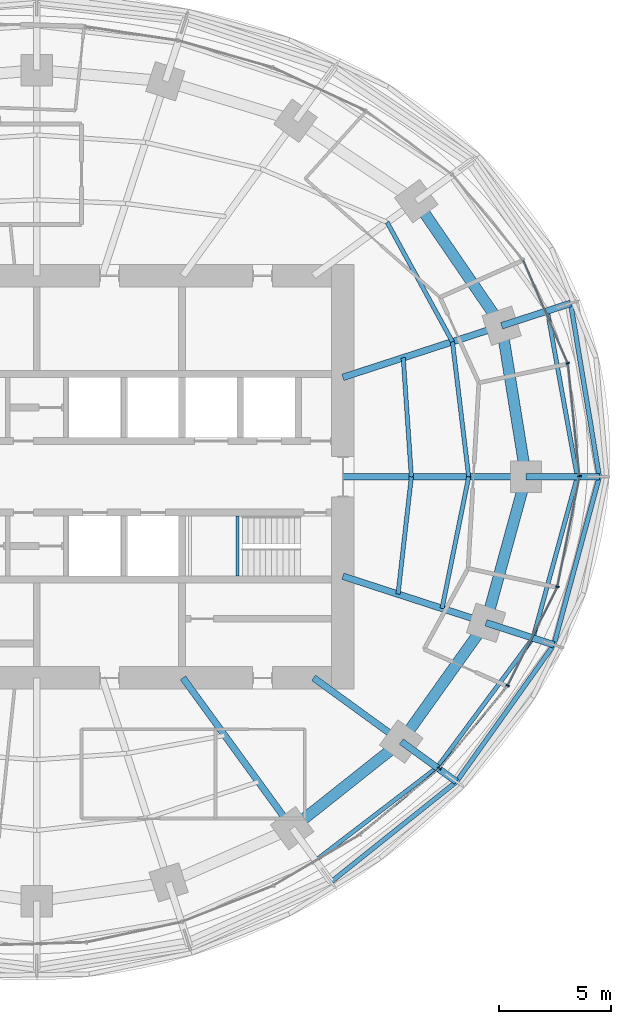
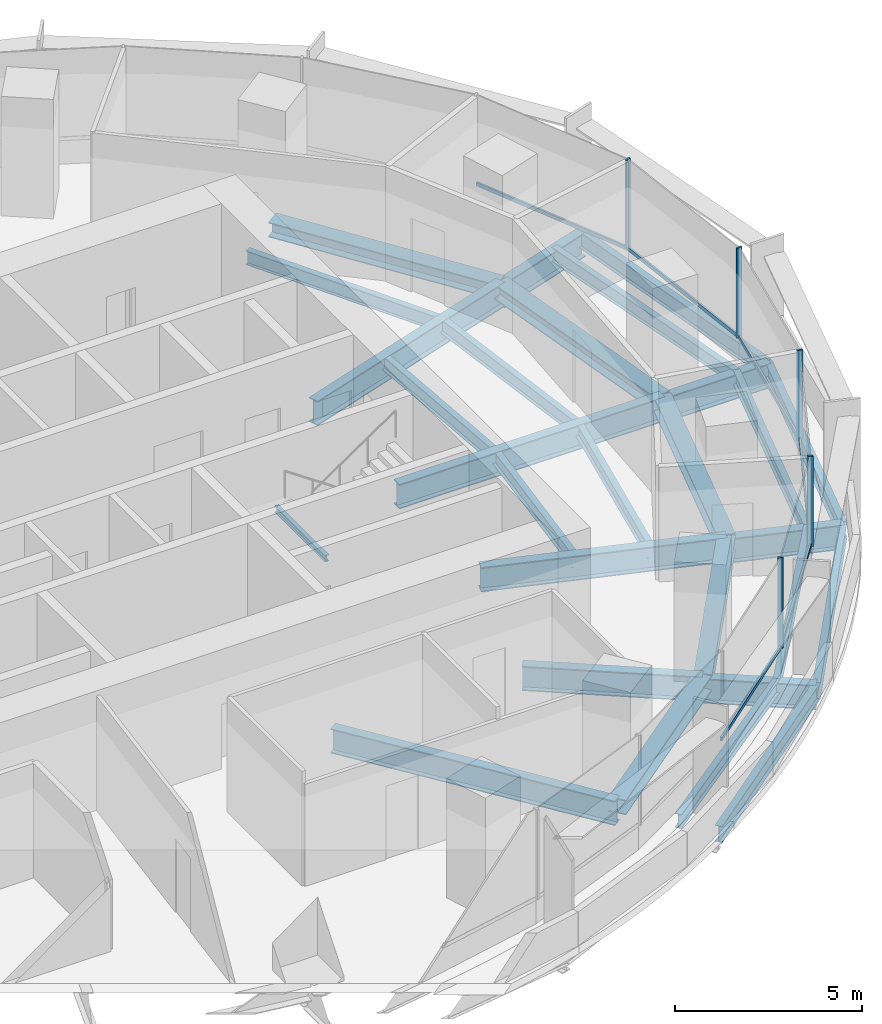
# One storey, part 6 of 17: 23 beams, 16 members, 2 elements without a shape of their own.
"""IFC4 building model written with IfcOpenShell, lengths in metres."""

import ifcopenshell
import ifcopenshell.guid

model = None  # the IFC model being written
_history = None  # IfcOwnerHistory: only IFC2X3 demands one
_inside = {}  # id of a spatial element -> (the spatial element, [elements in it])
_under = {}  # id of a project, library or spatial element -> (it, [spatial elements below it])
_declared = {}  # id of a project -> (the project, [libraries it declares])
_typed = {}  # id of a type object -> (the type object, [elements of that type])
_made_of = {}  # id of a material, layer set ... -> (it, [elements and type objects made of it])


def new_model(schema):
    """Start an empty IFC model of exactly this schema.

    Asked for "IFC4X3", IfcOpenShell would pick the latest addendum, in which some entities
    have other attributes; the version numbers below select the first issue.
    IFC2X3 requires an IfcOwnerHistory on every rooted entity: one is made here for all.
    """
    global model, _history
    if schema == "IFC4X3":
        model = ifcopenshell.file(schema_version=(4, 3, 0, 0))
    else:
        model = ifcopenshell.file(schema=schema)
    _inside.clear()
    _under.clear()
    _declared.clear()
    _typed.clear()
    _made_of.clear()
    _history = None
    if model.schema == "IFC2X3":
        org = make("IfcOrganization", Name="unknown")
        user = make(
            "IfcPersonAndOrganization",
            ThePerson=make("IfcPerson", FamilyName="unknown"),
            TheOrganization=org,
        )
        app = make(
            "IfcApplication",
            ApplicationDeveloper=org,
            Version="unknown",
            ApplicationFullName="unknown",
            ApplicationIdentifier="unknown",
        )
        _history = make(
            "IfcOwnerHistory",
            OwningUser=user,
            OwningApplication=app,
            ChangeAction="ADDED",
            CreationDate=0,
        )
    return model


def make(cls, **values):
    """One entity of the class cls with the attributes given. An attribute that is None is left unset."""
    return model.create_entity(
        cls, **{name: value for name, value in values.items() if value is not None}
    )


def rooted(cls, **values):
    """An entity with a GlobalId (a new one), such as an element, a storey or a relation."""
    return make(cls, GlobalId=ifcopenshell.guid.new(), OwnerHistory=_history, **values)


def si_unit(unit_type, name, prefix=None):
    """IfcSIUnit, for example si_unit("LENGTHUNIT", "METRE", prefix="MILLI")."""
    return make("IfcSIUnit", UnitType=unit_type, Prefix=prefix, Name=name)


def assignment(units):
    """IfcUnitAssignment: the units of a project."""
    return None if units is None else make("IfcUnitAssignment", Units=units)


def point(xyz):
    """IfcCartesianPoint."""
    return None if xyz is None else make("IfcCartesianPoint", Coordinates=xyz)


def direction(xyz):
    """IfcDirection."""
    return None if xyz is None else make("IfcDirection", DirectionRatios=xyz)


def frame(location, z_axis=None, x_axis=None):
    """IfcAxis2Placement3D, a coordinate frame: its origin and axes. An axis left out is left unset."""
    return make(
        "IfcAxis2Placement3D",
        Location=point(location),
        Axis=direction(z_axis),
        RefDirection=direction(x_axis),
    )


def frame_2d(location, x_axis=None):
    """IfcAxis2Placement2D, a coordinate frame in the plane: its origin and x axis."""
    return make(
        "IfcAxis2Placement2D", Location=point(location), RefDirection=direction(x_axis)
    )


def origin():
    """The frame at (0, 0, 0) with its axes left unset."""
    return frame((0.0, 0.0, 0.0))


def origin_2d():
    """The frame at (0, 0) in the plane with its x axis left unset."""
    return frame_2d((0.0, 0.0))


def place(relative_to, where):
    """IfcLocalPlacement: puts the frame where relative to a parent placement (None: the world)."""
    return make(
        "IfcLocalPlacement", PlacementRelTo=relative_to, RelativePlacement=where
    )


def context(
    kind, dimensions, precision=None, world=None, true_north=None, identifier=None
):
    """IfcGeometricRepresentationContext, for example the 3D "Model" context."""
    return make(
        "IfcGeometricRepresentationContext",
        ContextIdentifier=identifier,
        ContextType=kind,
        CoordinateSpaceDimension=dimensions,
        Precision=precision,
        WorldCoordinateSystem=world,
        TrueNorth=true_north,
    )


def subcontext(parent, identifier, kind, view, scale=None):
    """IfcGeometricRepresentationSubContext, for example "Body" below "Model"."""
    return make(
        "IfcGeometricRepresentationSubContext",
        ContextIdentifier=identifier,
        ContextType=kind,
        ParentContext=parent,
        TargetScale=scale,
        TargetView=view,
    )


def project(units=None, contexts=None):
    """IfcProject with its units and contexts."""
    return rooted(
        "IfcProject",
        Name="project",
        RepresentationContexts=contexts,
        UnitsInContext=assignment(units),
    )


def spatial(cls, under=None, at=None, **own):
    """A site, building, storey or space (cls), placed at a placement, below another one or the project."""
    s = rooted(cls, ObjectPlacement=at, **own)
    if under is not None:
        _under.setdefault(under.id(), (under, []))[1].append(s)
    return s


def profile(cls, at=None, kind="AREA", **sizes):
    """A parametric profile (cls). Its sizes go by their IFC names, for example OverallWidth=200.0."""
    return make(cls, ProfileType=kind, Position=at, **sizes)


def rectangle(**sizes):
    """IfcRectangleProfileDef."""
    return profile("IfcRectangleProfileDef", **sizes)


def i_section(**sizes):
    """IfcIShapeProfileDef."""
    return profile("IfcIShapeProfileDef", **sizes)


def extrude(swept, where, along, depth):
    """IfcExtrudedAreaSolid: the profile swept, set in the frame where, extruded along a direction by depth."""
    return make(
        "IfcExtrudedAreaSolid",
        SweptArea=swept,
        Position=where,
        ExtrudedDirection=direction(along),
        Depth=depth,
    )


def shape(context_of_items, identifier, shape_type, items):
    """IfcShapeRepresentation: the items that make up one representation, for example the "Body"."""
    return make(
        "IfcShapeRepresentation",
        ContextOfItems=context_of_items,
        RepresentationIdentifier=identifier,
        RepresentationType=shape_type,
        Items=items,
    )


def material(Name=None, Category=None):
    """IfcMaterial."""
    return make("IfcMaterial", Name=Name, Category=Category)


def material_profile(
    of_material, cross_section, Name=None, Category=None, Priority=None
):
    """IfcMaterialProfile: a cross section and its material."""
    return make(
        "IfcMaterialProfile",
        Name=Name,
        Material=of_material,
        Profile=cross_section,
        Priority=Priority,
        Category=Category,
    )


def profile_set(profiles, Name=None, composite=None):
    """IfcMaterialProfileSet."""
    return make(
        "IfcMaterialProfileSet",
        Name=Name,
        MaterialProfiles=profiles,
        CompositeProfile=composite,
    )


def made_of(thing, what):
    """Note that an element or type object is made of a material, layer set ...; save() writes the relation."""
    if what is not None:
        _made_of.setdefault(what.id(), (what, []))[1].append(thing)
    return thing


def type_object(cls, material=None, **own):
    """A type object (cls), such as IfcWallType, which elements share."""
    return made_of(rooted(cls, **own), material)


def element(
    cls,
    number,
    at=None,
    inside=None,
    cuts=None,
    type_object=None,
    material=None,
    context=None,
    identifier="Body",
    shape_type=None,
    held_by="IfcProductDefinitionShape",
    body=None,
    shapes=None,
    **own,
):
    """One element of the class cls, such as IfcWall. Its Tag is "e" and its number.

    at: its placement. inside: the storey or other place that contains it. cuts: it is an
    opening in that element (IfcRelVoidsElement). A single representation is given by context,
    identifier, shape_type and body (its items); several are given by shapes. held_by: the class
    of the entity that holds the representations. save() writes the other relations.
    """
    e = rooted(cls, Tag="e%d" % number, ObjectPlacement=at, **own)
    if body is not None:
        shapes = [shape(context, identifier, shape_type, body)]
    if shapes is not None:
        e.Representation = make(held_by, Representations=shapes)
    if inside is not None:
        _inside.setdefault(inside.id(), (inside, []))[1].append(e)
    if cuts is not None:
        rooted(
            "IfcRelVoidsElement", RelatingBuildingElement=cuts, RelatedOpeningElement=e
        )
    if type_object is not None:
        _typed.setdefault(type_object.id(), (type_object, []))[1].append(e)
    return made_of(e, material)


def aggregate(whole, parts):
    """IfcRelAggregates: a whole, such as a stair, and the parts it consists of."""
    return rooted("IfcRelAggregates", RelatingObject=whole, RelatedObjects=parts)


def save(model, path):
    """Write the relations noted so far, then the file.

    IfcRelAggregates (storeys below a building ...), IfcRelContainedInSpatialStructure (elements
    in a storey), IfcRelDefinesByType, IfcRelAssociatesMaterial and IfcRelDeclares: one each for
    every whole, place, type object, material and project.
    """
    for whole, parts in _under.values():
        aggregate(whole, parts)
    for where, things in _inside.values():
        rooted(
            "IfcRelContainedInSpatialStructure",
            RelatedElements=things,
            RelatingStructure=where,
        )
    for kind, things in _typed.values():
        rooted("IfcRelDefinesByType", RelatedObjects=things, RelatingType=kind)
    for what, things in _made_of.values():
        rooted("IfcRelAssociatesMaterial", RelatedObjects=things, RelatingMaterial=what)
    for by, libraries in _declared.values():
        rooted("IfcRelDeclares", RelatingContext=by, RelatedDefinitions=libraries)
    model.write(path)


model = new_model("IFC4")

# Units and contexts
model_context = context("Model", 3, precision=1e-05, world=origin(), true_north=direction((0.0, 1.0)))
body_context = subcontext(model_context, "Body", "Model", "MODEL_VIEW")
ifc_project = project(units=[si_unit("LENGTHUNIT", "METRE"), si_unit("AREAUNIT", "SQUARE_METRE"), si_unit("VOLUMEUNIT", "CUBIC_METRE"), si_unit("PLANEANGLEUNIT", "RADIAN"), si_unit("MASSUNIT", "GRAM", prefix="KILO")], contexts=[model_context])

# Site, building, storey
site_placement = place(None, origin())
site = spatial("IfcSite", under=ifc_project, at=site_placement, CompositionType="ELEMENT")
building_placement = place(site_placement, origin())
building = spatial("IfcBuilding", under=site, at=building_placement, Name="Marramba Exchange Tower", CompositionType="ELEMENT")
storey_placement = place(building_placement, frame((0.0, 0.0, 172.10009765625)))
storey = spatial("IfcBuildingStorey", under=building, at=storey_placement, Name="L41", CompositionType="ELEMENT", Elevation=172.10009765625)

# Members
ifc_material_1 = material(Name="Steel AS/NZS 3679.2 grade 300", Category="steel")
ifc_material_profile_1 = material_profile(ifc_material_1, i_section(OverallWidth=0.5, OverallDepth=0.48388671875, WebThickness=0.02490234375, FlangeThickness=0.031982421875, at=origin_2d()), Name="500WC340")
ifc_profile_set_1 = profile_set([ifc_material_profile_1], Name="Steel AS/NZS 3679.2 grade 300")
member_type_1 = type_object("IfcMemberType", Name="Belt truss chord 500WC340", PredefinedType="CHORD", material=ifc_profile_set_1)
member_1_placement = place(storey_placement, frame((21.89990234375, 0.0, -0.442138671875), z_axis=(-0.159384865399, 0.987216523708, 0.0), x_axis=(-0.987216523708, -0.159384865399, 0.0)))
element("IfcMember", 1, at=member_1_placement, inside=storey, type_object=member_type_1, Name="Belt chord L41 TC01-TC02", PredefinedType="CHORD", context=body_context, shape_type="SweptSolid", body=[
    extrude(i_section(OverallWidth=0.5, OverallDepth=0.48388671875, WebThickness=0.02490234375, FlangeThickness=0.031982421875, at=origin_2d()), origin(), (0.0, 0.0, 1.0), 6.8486328125),
])
member_2_placement = place(storey_placement, frame((20.808349609375, 6.760986328125, -0.442138671875), z_axis=(-0.56516002054, 0.824981303535, 0.0), x_axis=(-0.824981303535, -0.56516002054, 0.0)))
element("IfcMember", 2, at=member_2_placement, inside=storey, type_object=member_type_1, Name="Belt chord L41 TC02-TC03", PredefinedType="CHORD", context=body_context, shape_type="SweptSolid", body=[
    extrude(i_section(OverallWidth=0.5, OverallDepth=0.48388671875, WebThickness=0.02490234375, FlangeThickness=0.031982421875, at=origin_2d()), origin(), (0.0, 0.0, 1.0), 6.763671875),
])
member_3_placement = place(storey_placement, frame((11.430419921875, -15.732666015625, -0.442138671875), z_axis=(0.783139438128, 0.621846138887, 0.0), x_axis=(-0.621846138887, 0.783139438128, 0.0)))
element("IfcMember", 3, at=member_3_placement, inside=storey, type_object=member_type_1, Name="Belt chord L41 TC18-TC19", PredefinedType="CHORD", context=body_context, shape_type="SweptSolid", body=[
    extrude(i_section(OverallWidth=0.5, OverallDepth=0.48388671875, WebThickness=0.02490234375, FlangeThickness=0.031982421875, at=origin_2d()), origin(), (0.0, 0.0, 1.0), 6.23779296875),
])
member_4_placement = place(storey_placement, frame((16.3154296875, -11.853759765625, -0.442138671875), z_axis=(0.580637181111, 0.814162430914, 0.0), x_axis=(-0.814162430914, 0.580637181111, 0.0)))
element("IfcMember", 4, at=member_4_placement, inside=storey, type_object=member_type_1, Name="Belt chord L41 TC19-TC20", PredefinedType="CHORD", context=body_context, shape_type="SweptSolid", body=[
    extrude(i_section(OverallWidth=0.5, OverallDepth=0.48388671875, WebThickness=0.02490234375, FlangeThickness=0.031982421875, at=origin_2d()), origin(), (0.0, 0.0, 1.0), 6.5341796875),
])
member_5_placement = place(storey_placement, frame((20.109375, -6.533935546875, -0.442138671875), z_axis=(0.264291166956, 0.964442937176, 0.0), x_axis=(-0.964442937176, 0.264291166956, 0.0)))
element("IfcMember", 5, at=member_5_placement, inside=storey, type_object=member_type_1, Name="Belt chord L41 TC20-TC01", PredefinedType="CHORD", context=body_context, shape_type="SweptSolid", body=[
    extrude(i_section(OverallWidth=0.5, OverallDepth=0.48388671875, WebThickness=0.02490234375, FlangeThickness=0.031982421875, at=origin_2d()), origin(), (0.0, 0.0, 1.0), 6.77490234375),
])

# Beams
ifc_material_profile_2 = material_profile(ifc_material_1, i_section(OverallWidth=0.300048828125, OverallDepth=0.800048828125, WebThickness=0.013916015625, FlangeThickness=0.031982421875, at=origin_2d()), Name="800WB192")
ifc_profile_set_2 = profile_set([ifc_material_profile_2], Name="Steel AS/NZS 3679.2 grade 300")
beam_type_1 = type_object("IfcBeamType", Name="Cantilever girder 800WB192", PredefinedType="BEAM", material=ifc_profile_set_2)
beam_1_placement = place(storey_placement, frame((21.89990234375, 0.0, -0.650146484375), z_axis=(1.0, 0.0, 0.0), x_axis=(0.0, 1.0, 0.0)))
element("IfcBeam", 6, at=beam_1_placement, inside=storey, type_object=beam_type_1, Name="Cantilever girder L41 TC01", PredefinedType="BEAM", context=body_context, shape_type="SweptSolid", body=[
    extrude(i_section(OverallWidth=0.300048828125, OverallDepth=0.800048828125, WebThickness=0.013916015625, FlangeThickness=0.031982421875, at=origin_2d()), origin(), (0.0, 0.0, 1.0), 3.281982421875),
])
beam_2_placement = place(storey_placement, frame((20.808349609375, 6.760986328125, -0.650146484375), z_axis=(0.95105562578, 0.309019735087, 0.0), x_axis=(-0.309019735087, 0.95105562578, 0.0)))
element("IfcBeam", 7, at=beam_2_placement, inside=storey, type_object=beam_type_1, Name="Cantilever girder L41 TC02", PredefinedType="BEAM", context=body_context, shape_type="SweptSolid", body=[
    extrude(i_section(OverallWidth=0.300048828125, OverallDepth=0.800048828125, WebThickness=0.013916015625, FlangeThickness=0.031982421875, at=origin_2d()), origin(), (0.0, 0.0, 1.0), 3.24560546875),
])
beam_3_placement = place(storey_placement, frame((16.3154296875, -11.853759765625, -0.650146484375), z_axis=(0.809026231081, -0.587772538847, 0.0), x_axis=(0.587772538847, 0.809026231081, 0.0)))
element("IfcBeam", 8, at=beam_3_placement, inside=storey, type_object=beam_type_1, Name="Cantilever girder L41 TC19", PredefinedType="BEAM", context=body_context, shape_type="SweptSolid", body=[
    extrude(i_section(OverallWidth=0.300048828125, OverallDepth=0.800048828125, WebThickness=0.013916015625, FlangeThickness=0.031982421875, at=origin_2d()), origin(), (0.0, 0.0, 1.0), 3.055419921875),
])
beam_4_placement = place(storey_placement, frame((20.109375, -6.533935546875, -0.650146484375), z_axis=(0.951054839063, -0.309022156318, 0.0), x_axis=(0.309022156318, 0.951054839063, 0.0)))
element("IfcBeam", 9, at=beam_4_placement, inside=storey, type_object=beam_type_1, Name="Cantilever girder L41 TC20", PredefinedType="BEAM", context=body_context, shape_type="SweptSolid", body=[
    extrude(i_section(OverallWidth=0.300048828125, OverallDepth=0.800048828125, WebThickness=0.013916015625, FlangeThickness=0.031982421875, at=origin_2d()), origin(), (0.0, 0.0, 1.0), 3.19580078125),
])
ifc_material_2 = material(Name="Steel AS/NZS 3679.1 grade 300", Category="steel")
ifc_material_profile_3 = material_profile(ifc_material_2, i_section(OverallWidth=0.19091796875, OverallDepth=0.4599609375, WebThickness=0.010009765625, FlangeThickness=0.01611328125, FilletRadius=0.011474609375, at=origin_2d()), Name="460UB82.1")
ifc_profile_set_3 = profile_set([ifc_material_profile_3], Name="Steel AS/NZS 3679.1 grade 300")
beam_type_2 = type_object("IfcBeamType", Name="Floor joist 460UB82.1", PredefinedType="JOIST", material=ifc_profile_set_3)
beam_5_placement = place(storey_placement, frame((16.7666015625, 0.0, -0.43017578125), z_axis=(-0.068096259546, 0.99767875563, 0.0), x_axis=(-0.99767875563, -0.068096259546, 0.0)))
element("IfcBeam", 10, at=beam_5_placement, inside=storey, type_object=beam_type_2, Name="Joist L41 bay 01 row 1", PredefinedType="JOIST", context=body_context, shape_type="SweptSolid", body=[
    extrude(i_section(OverallWidth=0.19091796875, OverallDepth=0.4599609375, WebThickness=0.010009765625, FlangeThickness=0.01611328125, FilletRadius=0.011474609375, at=origin_2d()), origin(), (0.0, 0.0, 1.0), 5.342041015625),
])
beam_6_placement = place(storey_placement, frame((19.333251953125, 0.0, -0.43017578125), z_axis=(-0.119523078538, 0.992831422597, 0.0), x_axis=(-0.992831422597, -0.119523078538, 0.0)))
element("IfcBeam", 11, at=beam_6_placement, inside=storey, type_object=beam_type_2, Name="Joist L41 bay 01 row 2", PredefinedType="JOIST", context=body_context, shape_type="SweptSolid", body=[
    extrude(i_section(OverallWidth=0.19091796875, OverallDepth=0.4599609375, WebThickness=0.010009765625, FlangeThickness=0.01611328125, FilletRadius=0.011474609375, at=origin_2d()), origin(), (0.0, 0.0, 1.0), 6.089111328125),
])
beam_7_placement = place(storey_placement, frame((18.60546875, 6.04541015625, -0.43017578125), z_axis=(-0.479584443791, 0.877495732909, 0.0), x_axis=(-0.877495732909, -0.479584443791, 0.0)))
element("IfcBeam", 12, at=beam_7_placement, inside=storey, type_object=beam_type_2, Name="Joist L41 bay 02 row 2", PredefinedType="JOIST", context=body_context, shape_type="SweptSolid", body=[
    extrude(i_section(OverallWidth=0.19091796875, OverallDepth=0.4599609375, WebThickness=0.010009765625, FlangeThickness=0.01611328125, FilletRadius=0.011474609375, at=origin_2d()), origin(), (0.0, 0.0, 1.0), 6.094970703125),
])
beam_8_placement = place(storey_placement, frame((16.169677734375, -5.25390625, -0.43017578125), z_axis=(0.112888968594, 0.993607609054, 0.0), x_axis=(-0.993607609054, 0.112888968594, 0.0)))
element("IfcBeam", 13, at=beam_8_placement, inside=storey, type_object=beam_type_2, Name="Joist L41 bay 20 row 1", PredefinedType="JOIST", context=body_context, shape_type="SweptSolid", body=[
    extrude(i_section(OverallWidth=0.19091796875, OverallDepth=0.4599609375, WebThickness=0.010009765625, FlangeThickness=0.01611328125, FilletRadius=0.011474609375, at=origin_2d()), origin(), (0.0, 0.0, 1.0), 5.28759765625),
])
beam_9_placement = place(storey_placement, frame((18.1396484375, -5.893798828125, -0.43017578125), z_axis=(0.198489047047, 0.980103105904, 0.0), x_axis=(-0.980103105904, 0.198489047047, 0.0)))
element("IfcBeam", 14, at=beam_9_placement, inside=storey, type_object=beam_type_2, Name="Joist L41 bay 20 row 2", PredefinedType="JOIST", context=body_context, shape_type="SweptSolid", body=[
    extrude(i_section(OverallWidth=0.19091796875, OverallDepth=0.4599609375, WebThickness=0.010009765625, FlangeThickness=0.01611328125, FilletRadius=0.011474609375, at=origin_2d()), origin(), (0.0, 0.0, 1.0), 6.013427734375),
])

# Curtain wall, members
ifc_material_3 = material(Name="Aluminium framing, bronze anodised", Category="aluminium")
curtain_wall_type = type_object("IfcCurtainWallType", Name="Office ribbon curtain wall", PredefinedType="USERDEFINED", material=ifc_material_3)
curtain_wall_1_placement = place(storey_placement, origin())
curtain_wall_1 = element("IfcCurtainWall", 15, at=curtain_wall_1_placement, inside=storey, type_object=curtain_wall_type, Name="Curtain wall CW4 L41 F01-F05", ObjectType="RIBBON CURTAIN WALL", PredefinedType="USERDEFINED")
ifc_material_4 = material(Name="Aluminium mullion, bronze anodised", Category="aluminium")
ifc_material_profile_4 = material_profile(ifc_material_4, rectangle(XDim=0.159912109375, YDim=0.06005859375, at=origin_2d()), Name="CW4 mullion 60x160")
ifc_profile_set_4 = profile_set([ifc_material_profile_4], Name="Aluminium mullion, bronze anodised")
member_type_2 = type_object("IfcMemberType", Name="Office ribbon curtain wall mullion", PredefinedType="MULLION", material=ifc_profile_set_4)
member_6_placement = place(storey_placement, frame((24.291015625, 0.02978515625, 0.7998046875), z_axis=(0.0, 0.0, 1.0), x_axis=(-0.994843446001, -0.101422472607, 0.0)))
member_6 = element("IfcMember", 16, at=member_6_placement, type_object=member_type_2, Name="CW4 mullion 1", PredefinedType="MULLION", context=body_context, shape_type="SweptSolid", body=[
    extrude(rectangle(XDim=0.159912109375, YDim=0.06005859375, at=origin_2d()), origin(), (0.0, 0.0, 1.0), 2.940185546875),
])
member_7_placement = place(storey_placement, frame((23.766845703125, 5.081787109375, 0.7998046875), z_axis=(0.0, 0.0, 1.0), x_axis=(-0.918167104527, -0.396193346946, 0.0)))
member_7 = element("IfcMember", 17, at=member_7_placement, type_object=member_type_2, Name="CW4 mullion 1", PredefinedType="MULLION", context=body_context, shape_type="SweptSolid", body=[
    extrude(rectangle(XDim=0.159912109375, YDim=0.06005859375, at=origin_2d()), origin(), (0.0, 0.0, 1.0), 2.940185546875),
])

curtain_wall_2_placement = place(storey_placement, origin())
curtain_wall_2 = element("IfcCurtainWall", 18, at=curtain_wall_2_placement, inside=storey, type_object=curtain_wall_type, Name="Curtain wall CW4 L41 F26-F30", ObjectType="RIBBON CURTAIN WALL", PredefinedType="USERDEFINED")
member_8_placement = place(storey_placement, frame((18.01611328125, -13.052490234375, 0.7998046875), z_axis=(0.0, 0.0, 1.0), x_axis=(-0.769912069289, 0.63814998673, 0.0)))
member_8 = element("IfcMember", 19, at=member_8_placement, type_object=member_type_2, Name="CW4 mullion 1", PredefinedType="MULLION", context=body_context, shape_type="SweptSolid", body=[
    extrude(rectangle(XDim=0.159912109375, YDim=0.06005859375, at=origin_2d()), origin(), (0.0, 0.0, 1.0), 2.940185546875),
])
member_9_placement = place(storey_placement, frame((21.07568359375, -9.3505859375, 0.7998046875), z_axis=(0.0, 0.0, 1.0), x_axis=(-0.892689067591, 0.450673083956, 0.0)))
member_9 = element("IfcMember", 20, at=member_9_placement, type_object=member_type_2, Name="CW4 mullion 1", PredefinedType="MULLION", context=body_context, shape_type="SweptSolid", body=[
    extrude(rectangle(XDim=0.159912109375, YDim=0.06005859375, at=origin_2d()), origin(), (0.0, 0.0, 1.0), 2.940185546875),
])
member_10_placement = place(storey_placement, frame((23.30224609375, -4.92236328125, 0.7998046875), z_axis=(0.0, 0.0, 1.0), x_axis=(-0.980303812539, 0.197495405316, 0.0)))
member_10 = element("IfcMember", 21, at=member_10_placement, type_object=member_type_2, Name="CW4 mullion 1", PredefinedType="MULLION", context=body_context, shape_type="SweptSolid", body=[
    extrude(rectangle(XDim=0.159912109375, YDim=0.06005859375, at=origin_2d()), origin(), (0.0, 0.0, 1.0), 2.940185546875),
])

# Member
ifc_material_5 = material(Name="Aluminium transom, bronze anodised", Category="aluminium")
ifc_material_profile_5 = material_profile(ifc_material_5, rectangle(XDim=0.06005859375, YDim=0.1201171875, at=origin_2d()), Name="CW4 transom 60x120")
ifc_profile_set_5 = profile_set([ifc_material_profile_5], Name="Aluminium transom, bronze anodised")
member_type_3 = type_object("IfcMemberType", Name="Office ribbon curtain wall transom", PredefinedType="USERDEFINED", material=ifc_profile_set_5)
member_11_placement = place(storey_placement, frame((24.287841796875, 0.0595703125, 0.829833984375), z_axis=(-0.101386007846, 0.994847162841, 0.0), x_axis=(-0.994847162841, -0.101386007846, 0.0)))
member_11 = element("IfcMember", 22, at=member_11_placement, type_object=member_type_3, Name="CW4 sill transom", ObjectType="TRANSOM", PredefinedType="USERDEFINED", context=body_context, shape_type="SweptSolid", body=[
    extrude(rectangle(XDim=0.06005859375, YDim=0.1201171875, at=origin_2d()), origin(), (0.0, 0.0, 1.0), 5.020751953125),
])

member_12_placement = place(storey_placement, frame((23.7548828125, 5.109375, 0.829833984375), z_axis=(-0.396177573744, 0.918173910576, 0.0), x_axis=(-0.918173910576, -0.396177573744, 0.0)))
member_12 = element("IfcMember", 23, at=member_12_placement, type_object=member_type_3, Name="CW4 sill transom", ObjectType="TRANSOM", PredefinedType="USERDEFINED", context=body_context, shape_type="SweptSolid", body=[
    extrude(rectangle(XDim=0.06005859375, YDim=0.1201171875, at=origin_2d()), origin(), (0.0, 0.0, 1.0), 4.99462890625),
])

aggregate(curtain_wall_1, [member_6, member_11, member_7, member_12])

member_13_placement = place(storey_placement, frame((14.48486328125, -15.99755859375, 0.829833984375), z_axis=(0.768707257272, 0.639600775967, 0.0), x_axis=(-0.639600775967, 0.768707257272, 0.0)))
member_13 = element("IfcMember", 24, at=member_13_placement, type_object=member_type_3, Name="CW4 sill transom", ObjectType="TRANSOM", PredefinedType="USERDEFINED", context=body_context, shape_type="SweptSolid", body=[
    extrude(rectangle(XDim=0.06005859375, YDim=0.1201171875, at=origin_2d()), origin(), (0.0, 0.0, 1.0), 4.568603515625),
])

member_14_placement = place(storey_placement, frame((18.03515625, -13.029296875, 0.829833984375), z_axis=(0.638146908901, 0.76991462037, 0.0), x_axis=(-0.76991462037, 0.638146908901, 0.0)))
member_14 = element("IfcMember", 25, at=member_14_placement, type_object=member_type_3, Name="CW4 sill transom", ObjectType="TRANSOM", PredefinedType="USERDEFINED", context=body_context, shape_type="SweptSolid", body=[
    extrude(rectangle(XDim=0.06005859375, YDim=0.1201171875, at=origin_2d()), origin(), (0.0, 0.0, 1.0), 4.7431640625),
])

member_15_placement = place(storey_placement, frame((21.089111328125, -9.323974609375, 0.829833984375), z_axis=(0.450679681949, 0.892685736572, 0.0), x_axis=(-0.892685736572, 0.450679681949, 0.0)))
member_15 = element("IfcMember", 26, at=member_15_placement, type_object=member_type_3, Name="CW4 sill transom", ObjectType="TRANSOM", PredefinedType="USERDEFINED", context=body_context, shape_type="SweptSolid", body=[
    extrude(rectangle(XDim=0.06005859375, YDim=0.1201171875, at=origin_2d()), origin(), (0.0, 0.0, 1.0), 4.897705078125),
])

member_16_placement = place(storey_placement, frame((23.308349609375, -4.89306640625, 0.829833984375), z_axis=(0.197461053167, 0.980310732616, 0.0), x_axis=(-0.980310732616, 0.197461053167, 0.0)))
member_16 = element("IfcMember", 27, at=member_16_placement, type_object=member_type_3, Name="CW4 sill transom", ObjectType="TRANSOM", PredefinedType="USERDEFINED", context=body_context, shape_type="SweptSolid", body=[
    extrude(rectangle(XDim=0.06005859375, YDim=0.1201171875, at=origin_2d()), origin(), (0.0, 0.0, 1.0), 4.991455078125),
])

aggregate(curtain_wall_2, [member_13, member_8, member_14, member_9, member_15, member_10, member_16])

# Beams
ifc_material_profile_6 = material_profile(ifc_material_1, i_section(OverallWidth=0.300048828125, OverallDepth=0.800048828125, WebThickness=0.013916015625, FlangeThickness=0.031982421875, at=origin_2d()), Name="800WB192")
ifc_profile_set_6 = profile_set([ifc_material_profile_6], Name="Steel AS/NZS 3679.2 grade 300")
beam_type_3 = type_object("IfcBeamType", Name="Radial girder 800WB192", PredefinedType="BEAM", material=ifc_profile_set_6)
beam_10_placement = place(storey_placement, frame((13.699951171875, 0.0, -0.60009765625), z_axis=(1.0, 0.0, 0.0), x_axis=(0.0, 1.0, 0.0)))
element("IfcBeam", 28, at=beam_10_placement, inside=storey, type_object=beam_type_3, Name="Radial girder L41 TC01", PredefinedType="BEAM", context=body_context, shape_type="SweptSolid", body=[
    extrude(i_section(OverallWidth=0.300048828125, OverallDepth=0.800048828125, WebThickness=0.013916015625, FlangeThickness=0.031982421875, at=origin_2d()), origin(), (0.0, 0.0, 1.0), 8.199951171875),
])
beam_11_placement = place(storey_placement, frame((13.699951171875, 4.451416015625, -0.60009765625), z_axis=(0.951059990189, 0.309006302624, 0.0), x_axis=(-0.309006302624, 0.951059990189, 0.0)))
element("IfcBeam", 29, at=beam_11_placement, inside=storey, type_object=beam_type_3, Name="Radial girder L41 TC02", PredefinedType="BEAM", context=body_context, shape_type="SweptSolid", body=[
    extrude(i_section(OverallWidth=0.300048828125, OverallDepth=0.800048828125, WebThickness=0.013916015625, FlangeThickness=0.031982421875, at=origin_2d()), origin(), (0.0, 0.0, 1.0), 7.47412109375),
])
beam_12_placement = place(storey_placement, frame((6.538818359375, -9.0, -0.60009765625), z_axis=(0.587787877172, -0.809015087282, 0.0), x_axis=(0.809015087282, 0.587787877172, 0.0)))
element("IfcBeam", 30, at=beam_12_placement, inside=storey, type_object=beam_type_3, Name="Radial girder L41 TC18", PredefinedType="BEAM", context=body_context, shape_type="SweptSolid", body=[
    extrude(i_section(OverallWidth=0.300048828125, OverallDepth=0.800048828125, WebThickness=0.013916015625, FlangeThickness=0.031982421875, at=origin_2d()), origin(), (0.0, 0.0, 1.0), 8.322021484375),
])
beam_13_placement = place(storey_placement, frame((12.387451171875, -9.0, -0.60009765625), z_axis=(0.809025189606, -0.58777397236, 0.0), x_axis=(0.58777397236, 0.809025189606, 0.0)))
element("IfcBeam", 31, at=beam_13_placement, inside=storey, type_object=beam_type_3, Name="Radial girder L41 TC19", PredefinedType="BEAM", context=body_context, shape_type="SweptSolid", body=[
    extrude(i_section(OverallWidth=0.300048828125, OverallDepth=0.800048828125, WebThickness=0.013916015625, FlangeThickness=0.031982421875, at=origin_2d()), origin(), (0.0, 0.0, 1.0), 4.855224609375),
])
beam_14_placement = place(storey_placement, frame((13.699951171875, -4.451416015625, -0.60009765625), z_axis=(0.951057759669, -0.309013167637, 0.0), x_axis=(0.309013167637, 0.951057759669, 0.0)))
element("IfcBeam", 32, at=beam_14_placement, inside=storey, type_object=beam_type_3, Name="Radial girder L41 TC20", PredefinedType="BEAM", context=body_context, shape_type="SweptSolid", body=[
    extrude(i_section(OverallWidth=0.300048828125, OverallDepth=0.800048828125, WebThickness=0.013916015625, FlangeThickness=0.031982421875, at=origin_2d()), origin(), (0.0, 0.0, 1.0), 6.7392578125),
])
ifc_material_profile_7 = material_profile(ifc_material_2, i_section(OverallWidth=0.19091796875, OverallDepth=0.4599609375, WebThickness=0.010009765625, FlangeThickness=0.01611328125, FilletRadius=0.011474609375, at=origin_2d()), Name="460UB82.1")
ifc_profile_set_7 = profile_set([ifc_material_profile_7], Name="Steel AS/NZS 3679.1 grade 300")
beam_type_4 = type_object("IfcBeamType", Name="Slab edge beam 460UB82.1", PredefinedType="SPANDREL", material=ifc_profile_set_7)
beam_15_placement = place(storey_placement, frame((24.194091796875, 0.0, -0.43017578125), z_axis=(-0.177663817107, 0.984091239719, 0.0), x_axis=(-0.984091239719, -0.177663817107, 0.0)))
element("IfcBeam", 33, at=beam_15_placement, inside=storey, type_object=beam_type_4, Name="Slab edge beam L41 TC01-TC02", PredefinedType="SPANDREL", context=body_context, shape_type="SweptSolid", body=[
    extrude(i_section(OverallWidth=0.19091796875, OverallDepth=0.4599609375, WebThickness=0.010009765625, FlangeThickness=0.01611328125, FilletRadius=0.011474609375, at=origin_2d()), origin(), (0.0, 0.0, 1.0), 7.545654296875),
])
beam_16_placement = place(storey_placement, frame((12.479736328125, -17.1767578125, -0.43017578125), z_axis=(0.794163423189, 0.607704251481, 0.0), x_axis=(-0.607704251481, 0.794163423189, 0.0)))
element("IfcBeam", 34, at=beam_16_placement, inside=storey, type_object=beam_type_4, Name="Slab edge beam L41 TC18-TC19", PredefinedType="SPANDREL", context=body_context, shape_type="SweptSolid", body=[
    extrude(i_section(OverallWidth=0.19091796875, OverallDepth=0.4599609375, WebThickness=0.010009765625, FlangeThickness=0.01611328125, FilletRadius=0.011474609375, at=origin_2d()), origin(), (0.0, 0.0, 1.0), 6.84521484375),
])
beam_17_placement = place(storey_placement, frame((17.916015625, -13.016845703125, -0.43017578125), z_axis=(0.595428136035, 0.803408572781, 0.0), x_axis=(-0.803408572781, 0.595428136035, 0.0)))
element("IfcBeam", 35, at=beam_17_placement, inside=storey, type_object=beam_type_4, Name="Slab edge beam L41 TC19-TC20", PredefinedType="SPANDREL", context=body_context, shape_type="SweptSolid", body=[
    extrude(i_section(OverallWidth=0.19091796875, OverallDepth=0.4599609375, WebThickness=0.010009765625, FlangeThickness=0.01611328125, FilletRadius=0.011474609375, at=origin_2d()), origin(), (0.0, 0.0, 1.0), 7.218017578125),
])
beam_18_placement = place(storey_placement, frame((22.2138671875, -7.2177734375, -0.43017578125), z_axis=(0.264577205901, 0.964364506874, 0.0), x_axis=(-0.964364506874, 0.264577205901, 0.0)))
element("IfcBeam", 36, at=beam_18_placement, inside=storey, type_object=beam_type_4, Name="Slab edge beam L41 TC20-TC01", PredefinedType="SPANDREL", context=body_context, shape_type="SweptSolid", body=[
    extrude(i_section(OverallWidth=0.19091796875, OverallDepth=0.4599609375, WebThickness=0.010009765625, FlangeThickness=0.01611328125, FilletRadius=0.011474609375, at=origin_2d()), origin(), (0.0, 0.0, 1.0), 7.484375),
])
ifc_material_profile_8 = material_profile(ifc_material_2, i_section(OverallWidth=0.208984375, OverallDepth=0.528076171875, WebThickness=0.009521484375, FlangeThickness=0.01318359375, FilletRadius=0.013916015625, at=origin_2d()), Name="530UB82.0")
ifc_profile_set_8 = profile_set([ifc_material_profile_8], Name="Steel AS/NZS 3679.1 grade 300")
beam_type_5 = type_object("IfcBeamType", Name="Slab edge beam 530UB82.0", PredefinedType="SPANDREL", material=ifc_profile_set_8)
beam_19_placement = place(storey_placement, frame((25.181884765625, 0.0, -0.51416015625), z_axis=(-0.163518559175, 0.986540258076, 0.0), x_axis=(-0.986540258076, -0.163518559175, 0.0)))
element("IfcBeam", 37, at=beam_19_placement, inside=storey, type_object=beam_type_5, Name="Setback roof edge beam L41 TC01-TC02", PredefinedType="SPANDREL", context=body_context, shape_type="SweptSolid", body=[
    extrude(i_section(OverallWidth=0.208984375, OverallDepth=0.528076171875, WebThickness=0.009521484375, FlangeThickness=0.01318359375, FilletRadius=0.013916015625, at=origin_2d()), origin(), (0.0, 0.0, 1.0), 7.869873046875),
])
beam_20_placement = place(storey_placement, frame((13.1748046875, -18.133544921875, -0.51416015625), z_axis=(0.781286404457, 0.624172695822, 0.0), x_axis=(-0.624172695822, 0.781286404457, 0.0)))
element("IfcBeam", 38, at=beam_20_placement, inside=storey, type_object=beam_type_5, Name="Setback roof edge beam L41 TC18-TC19", PredefinedType="SPANDREL", context=body_context, shape_type="SweptSolid", body=[
    extrude(i_section(OverallWidth=0.208984375, OverallDepth=0.528076171875, WebThickness=0.009521484375, FlangeThickness=0.01318359375, FilletRadius=0.013916015625, at=origin_2d()), origin(), (0.0, 0.0, 1.0), 7.183837890625),
])
beam_21_placement = place(storey_placement, frame((18.787353515625, -13.649658203125, -0.51416015625), z_axis=(0.579834168245, 0.814734519543, 0.0), x_axis=(-0.814734519543, 0.579834168245, 0.0)))
element("IfcBeam", 39, at=beam_21_placement, inside=storey, type_object=beam_type_5, Name="Setback roof edge beam L41 TC19-TC20", PredefinedType="SPANDREL", context=body_context, shape_type="SweptSolid", body=[
    extrude(i_section(OverallWidth=0.208984375, OverallDepth=0.528076171875, WebThickness=0.009521484375, FlangeThickness=0.01318359375, FilletRadius=0.013916015625, at=origin_2d()), origin(), (0.0, 0.0, 1.0), 7.521728515625),
])
beam_22_placement = place(storey_placement, frame((23.148681640625, -7.521484375, -0.51416015625), z_axis=(0.260953221575, 0.965351446961, 0.0), x_axis=(-0.965351446961, 0.260953221575, 0.0)))
element("IfcBeam", 40, at=beam_22_placement, inside=storey, type_object=beam_type_5, Name="Setback roof edge beam L41 TC20-TC01", PredefinedType="SPANDREL", context=body_context, shape_type="SweptSolid", body=[
    extrude(i_section(OverallWidth=0.208984375, OverallDepth=0.528076171875, WebThickness=0.009521484375, FlangeThickness=0.01318359375, FilletRadius=0.013916015625, at=origin_2d()), origin(), (0.0, 0.0, 1.0), 7.79150390625),
])
ifc_material_profile_9 = material_profile(ifc_material_2, i_section(OverallWidth=0.133056640625, OverallDepth=0.202880859375, WebThickness=0.005859375, FlangeThickness=0.0078125, FilletRadius=0.0087890625, at=origin_2d()), Name="200UB25.4")
ifc_profile_set_9 = profile_set([ifc_material_profile_9], Name="Steel AS/NZS 3679.1 grade 300")
beam_type_6 = type_object("IfcBeamType", Name="Stair landing beam 200UB25.4", PredefinedType="BEAM", material=ifc_profile_set_9)
beam_23_placement = place(storey_placement, frame((8.9833984375, -4.449951171875, 1.6484375), z_axis=(0.0, 1.0, 0.0), x_axis=(-1.0, 0.0, 0.0)))
element("IfcBeam", 41, at=beam_23_placement, inside=storey, type_object=beam_type_6, Name="Stair landing beam SLB1 ST2 L41 2", PredefinedType="BEAM", context=body_context, shape_type="SweptSolid", body=[
    extrude(i_section(OverallWidth=0.133056640625, OverallDepth=0.202880859375, WebThickness=0.005859375, FlangeThickness=0.0078125, FilletRadius=0.0087890625, at=origin_2d()), origin(), (0.0, 0.0, 1.0), 2.699951171875),
])

save(model, "model.ifc")
